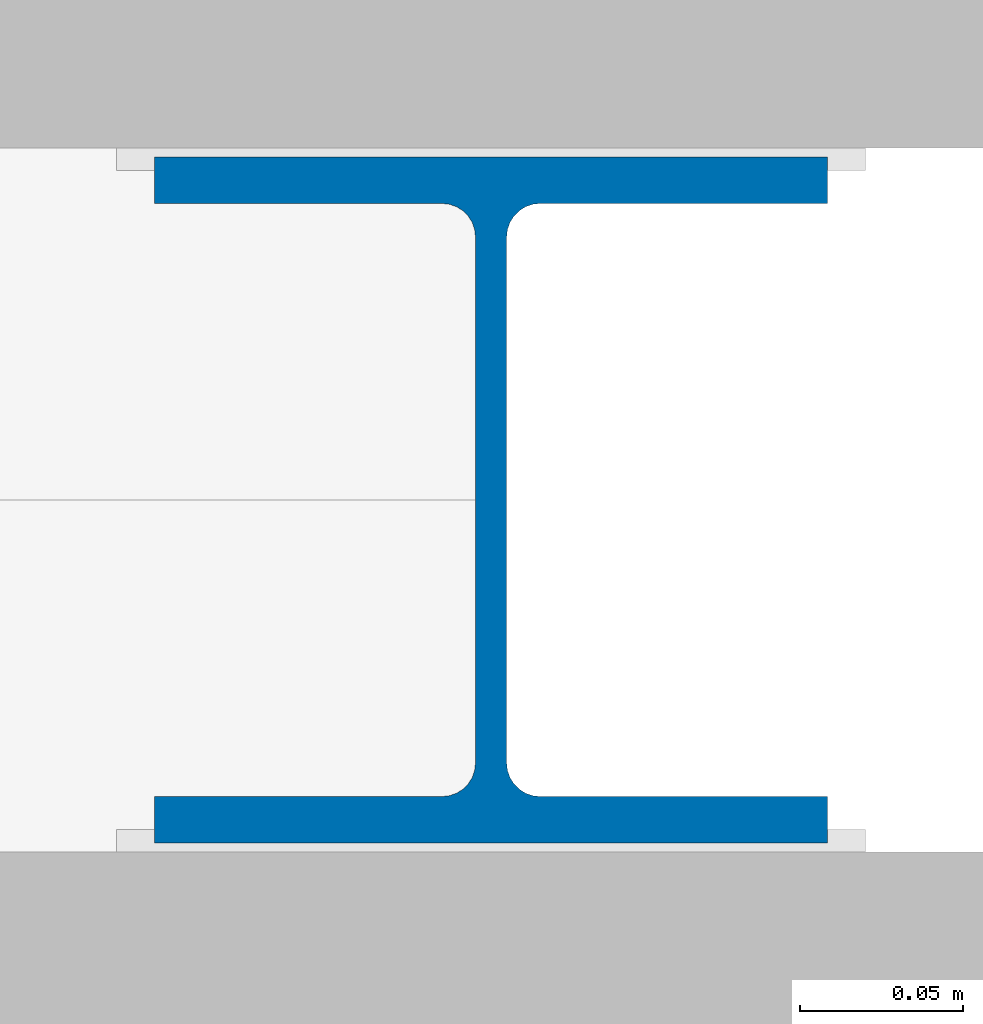
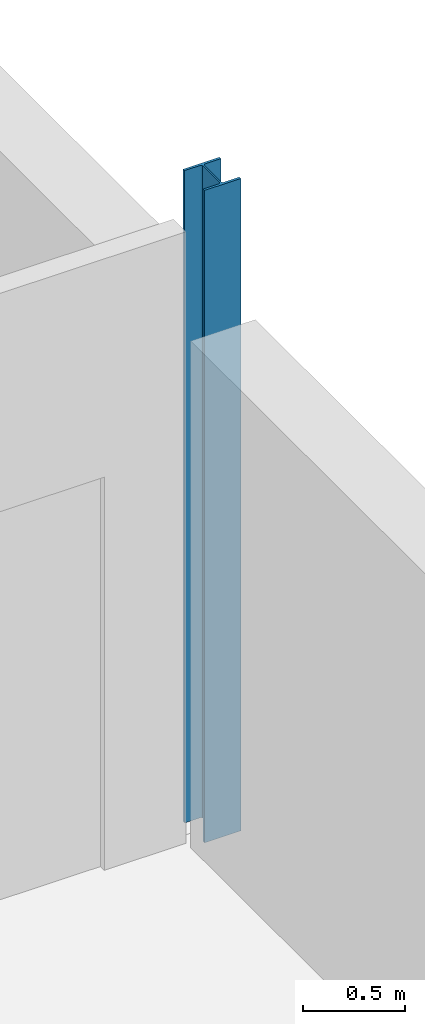
# One storey, part 5 of 35: 1 column.
"""IFC4 building model written with IfcOpenShell, lengths in metres."""

from ifc_helpers import new_model, si_unit, direction, frame, origin, origin_2d, place, context, subcontext, project, spatial, i_section, extrude, material, material_profile, profile_set, type_object, element, save


model = new_model("IFC4")

# Units and contexts
model_context = context("Model", 3, precision=1e-05, world=origin(), true_north=direction((0.0, 1.0)))
body_context = subcontext(model_context, "Body", "Model", "MODEL_VIEW")
ifc_project = project(units=[si_unit("LENGTHUNIT", "METRE"), si_unit("AREAUNIT", "SQUARE_METRE"), si_unit("VOLUMEUNIT", "CUBIC_METRE"), si_unit("PLANEANGLEUNIT", "RADIAN"), si_unit("MASSUNIT", "GRAM", prefix="KILO")], contexts=[model_context])

# Site, building, storey
site_placement = place(None, origin())
site = spatial("IfcSite", under=ifc_project, at=site_placement, CompositionType="ELEMENT")
building_placement = place(site_placement, origin())
building = spatial("IfcBuilding", under=site, at=building_placement, Name="Kisiwana Market Hall", CompositionType="ELEMENT")
storey_placement = place(building_placement, frame((0.0, 0.0, 61.800048828125)))
storey = spatial("IfcBuildingStorey", under=building, at=storey_placement, Name="L14", CompositionType="ELEMENT", Elevation=61.800048828125)

# Column
ifc_material = material(Name="Steel S355", Category="steel")
ifc_material_profile = material_profile(ifc_material, i_section(OverallWidth=0.205810546875, OverallDepth=0.209716796875, WebThickness=0.009521484375, FlangeThickness=0.01416015625, FilletRadius=0.01025390625, at=origin_2d()), Name="UC 203x203x60")
ifc_profile_set = profile_set([ifc_material_profile], Name="Steel S355")
column_type = type_object("IfcColumnType", Name="COL-STL-UC060", PredefinedType="COLUMN", material=ifc_profile_set)
column_placement = place(storey_placement, frame((36.0, 60.0, 0.0), z_axis=(0.0, 0.0, 1.0), x_axis=(1.0, 0.0, 0.0)))
element("IfcColumn", 1, at=column_placement, inside=storey, type_object=column_type, Name="Column H/5 (L14) C-1439", PredefinedType="COLUMN", context=body_context, shape_type="SweptSolid", body=[
    extrude(i_section(OverallWidth=0.205810546875, OverallDepth=0.209716796875, WebThickness=0.009521484375, FlangeThickness=0.01416015625, FilletRadius=0.01025390625, at=origin_2d()), origin(), (0.0, 0.0, 1.0), 3.89990234375),
])

save(model, "model.ifc")
